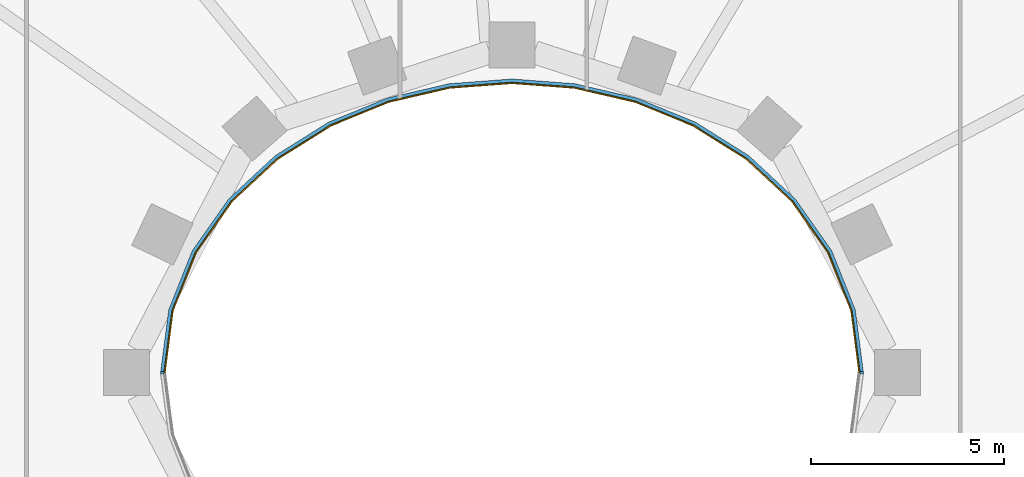
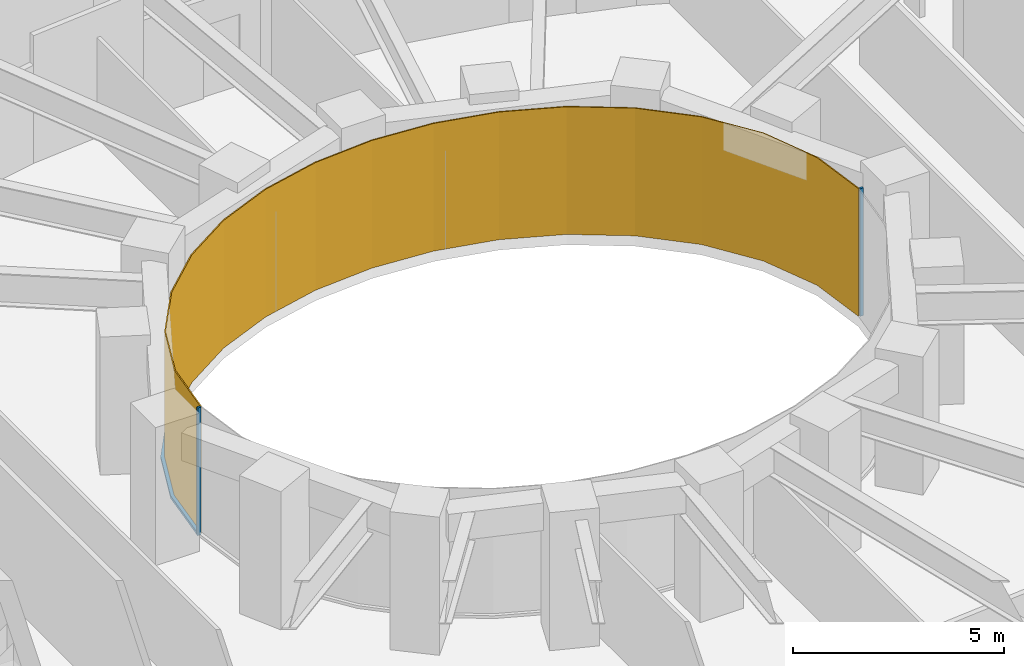
# One storey, part 13 of 17: 3 members, 1 curtain wall.
"""IFC4 building model written with IfcOpenShell, lengths in metres."""

from ifc_helpers import new_model, si_unit, direction, frame, origin, origin_2d, place, context, subcontext, project, spatial, polyline, rectangle, outline, extrude, material, layer, layer_set, material_profile, profile_set, type_object, element, aggregate, save


model = new_model("IFC4")

# Units and contexts
model_context = context("Model", 3, precision=1e-05, world=origin(), true_north=direction((0.0, 1.0)))
body_context = subcontext(model_context, "Body", "Model", "MODEL_VIEW")
ifc_project = project(units=[si_unit("LENGTHUNIT", "METRE"), si_unit("AREAUNIT", "SQUARE_METRE"), si_unit("VOLUMEUNIT", "CUBIC_METRE"), si_unit("PLANEANGLEUNIT", "RADIAN"), si_unit("MASSUNIT", "GRAM", prefix="KILO")], contexts=[model_context])

# Member
ifc_material_1 = material(Name="Steel S355 fire-resisting frame", Category="steel")
ifc_material_profile = material_profile(ifc_material_1, rectangle(XDim=0.090087890625, YDim=0.06005859375, at=origin_2d()), Name="90x60")
ifc_profile_set = profile_set([ifc_material_profile], Name="Steel S355 fire-resisting frame")
member_type_1 = type_object("IfcMemberType", Name="ENV-MULLION-W-90", PredefinedType="MULLION", material=ifc_profile_set)
site_placement = place(None, origin())
building_placement = place(site_placement, origin())
storey_placement = place(building_placement, frame((0.0, 0.0, 112.0)))
member_1_placement = place(storey_placement, frame((9.076904296875, 0.0, 0.0), z_axis=(0.0, 0.0, 1.0), x_axis=(1.0, 0.0, 0.0)))
member_1 = element("IfcMember", 1, at=member_1_placement, type_object=member_type_1, Name="Mullion W well vertex 01", PredefinedType="MULLION", context=body_context, shape_type="SweptSolid", body=[
    extrude(rectangle(XDim=0.090087890625, YDim=0.06005859375, at=origin_2d()), origin(), (0.0, 0.0, 1.0), 3.699951171875),
])

member_2_placement = place(storey_placement, frame((-9.076904296875, 0.0, 0.0), z_axis=(0.0, 0.0, 1.0), x_axis=(-1.0, 0.0, 0.0)))
member_2 = element("IfcMember", 2, at=member_2_placement, type_object=member_type_1, Name="Mullion W well vertex 17", PredefinedType="MULLION", context=body_context, shape_type="SweptSolid", body=[
    extrude(rectangle(XDim=0.090087890625, YDim=0.06005859375, at=origin_2d()), origin(), (0.0, 0.0, 1.0), 3.699951171875),
])

ifc_material_2 = material(Name="Steel S355 fire-resisting frame", Category="steel")
member_type_2 = type_object("IfcMemberType", Name="ENV-TRANSOM-W", PredefinedType="USERDEFINED", material=ifc_material_2)
member_3_placement = place(storey_placement, origin())
member_3 = element("IfcMember", 3, at=member_3_placement, type_object=member_type_2, Name="Transom W well 01-17", ObjectType="TRANSOM", PredefinedType="USERDEFINED", context=body_context, shape_type="SweptSolid", body=[
    extrude(outline(polyline([(9.119384765625, 0.02783203125), (8.910400390625, 1.63623046875), (8.29833984375, 3.167236328125), (7.35107421875, 4.5146484375), (6.1455078125, 5.6337890625), (4.75341796875, 6.50634765625), (3.233642578125, 7.127685546875), (1.635498046875, 7.498779296875), (0.0, 7.622314453125), (-1.635498046875, 7.498779296875), (-3.233642578125, 7.127685546875), (-4.75341796875, 6.50634765625), (-6.1455078125, 5.6337890625), (-7.35107421875, 4.5146484375), (-8.29833984375, 3.167236328125), (-8.910400390625, 1.63623046875), (-9.119384765625, 0.02783203125), (-9.02880859375, 0.02783203125), (-8.822509765625, 1.61328125), (-8.21875, 3.124267578125), (-7.282958984375, 4.455078125), (-6.090576171875, 5.56201171875), (-4.712158203125, 6.426025390625), (-3.206298828125, 7.04150390625), (-1.621826171875, 7.40966796875), (0.0, 7.531982421875), (1.621826171875, 7.40966796875), (3.206298828125, 7.04150390625), (4.712158203125, 6.426025390625), (6.090576171875, 5.56201171875), (7.282958984375, 4.455078125), (8.21875, 3.124267578125), (8.822509765625, 1.61328125), (9.02880859375, 0.02783203125), (9.119384765625, 0.02783203125)])), origin(), (0.0, 0.0, 1.0), 0.080078125),
])

# Site, building, storey
site = spatial("IfcSite", under=ifc_project, at=site_placement, CompositionType="ELEMENT")
building = spatial("IfcBuilding", under=site, at=building_placement, Name="Noorbagh Ring Tower", CompositionType="ELEMENT")
storey = spatial("IfcBuildingStorey", under=building, at=storey_placement, Name="L25", CompositionType="ELEMENT", Elevation=112.0)

# Curtain wall
ifc_material_3 = material(Name="Glass fire-resisting E60 laminated", Category="glass")
ifc_layer = layer(ifc_material_3, 0.031982421875)
ifc_layer_set = layer_set([ifc_layer], Name="Glass fire-resisting E60 laminated")
curtain_wall_type = type_object("IfcCurtainWallType", Name="ENV-CW-W", PredefinedType="NOTDEFINED", material=ifc_layer_set)
curtain_wall_placement = place(storey_placement, origin())
curtain_wall = element("IfcCurtainWall", 4, at=curtain_wall_placement, inside=storey, type_object=curtain_wall_type, Name="Curtain wall W W01", PredefinedType="NOTDEFINED", context=body_context, shape_type="SweptSolid", body=[
    extrude(outline(polyline([(9.0322265625, 0.0), (8.822509765625, 1.61328125), (8.21875, 3.124267578125), (7.282958984375, 4.455078125), (6.090576171875, 5.56201171875), (4.712158203125, 6.426025390625), (3.206298828125, 7.04150390625), (1.621826171875, 7.40966796875), (0.0, 7.531982421875), (-1.621826171875, 7.40966796875), (-3.206298828125, 7.04150390625), (-4.712158203125, 6.426025390625), (-6.090576171875, 5.56201171875), (-7.282958984375, 4.455078125), (-8.21875, 3.124267578125), (-8.822509765625, 1.61328125), (-9.0322265625, 0.0), (-9.0, 0.0), (-8.79150390625, 1.605224609375), (-8.1904296875, 3.10888671875), (-7.2587890625, 4.43408203125), (-6.071044921875, 5.53662109375), (-4.697509765625, 6.3974609375), (-3.196533203125, 7.010986328125), (-1.6171875, 7.3779296875), (0.0, 7.5), (1.6171875, 7.3779296875), (3.196533203125, 7.010986328125), (4.697509765625, 6.3974609375), (6.071044921875, 5.53662109375), (7.2587890625, 4.43408203125), (8.1904296875, 3.10888671875), (8.79150390625, 1.605224609375), (9.0, 0.0), (9.0322265625, 0.0)])), origin(), (0.0, 0.0, 1.0), 3.699951171875),
])

aggregate(curtain_wall, [member_1, member_2, member_3])

save(model, "model.ifc")
